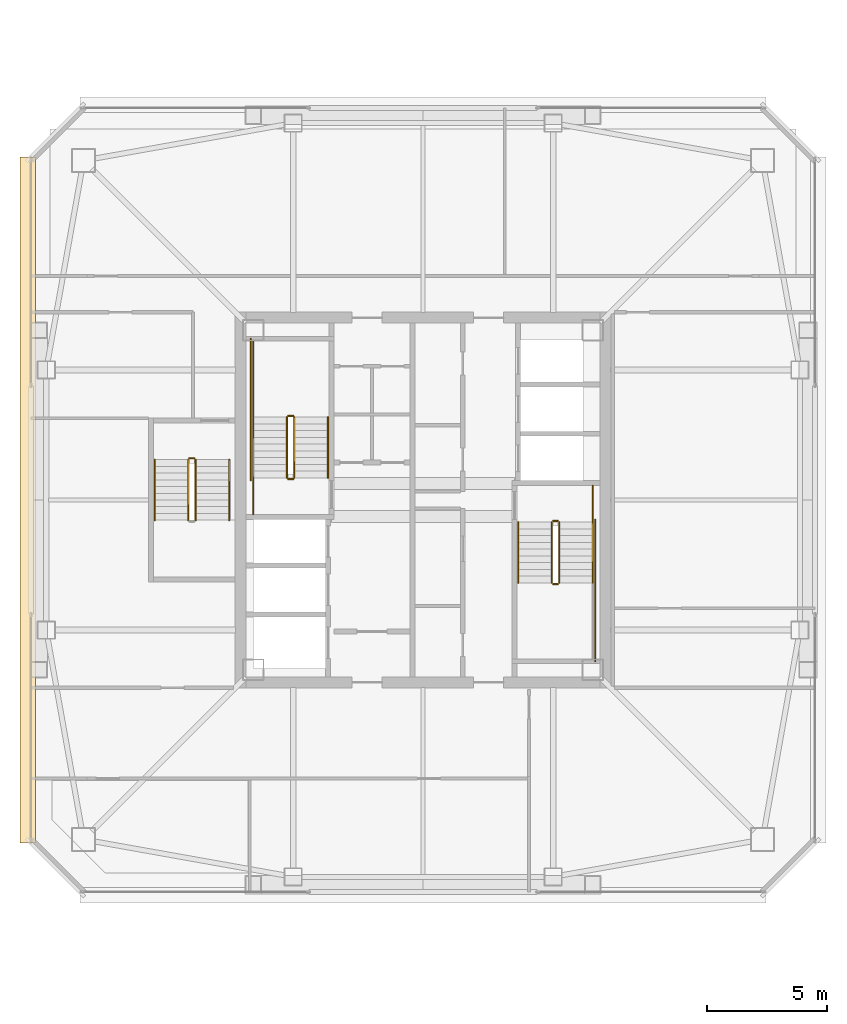
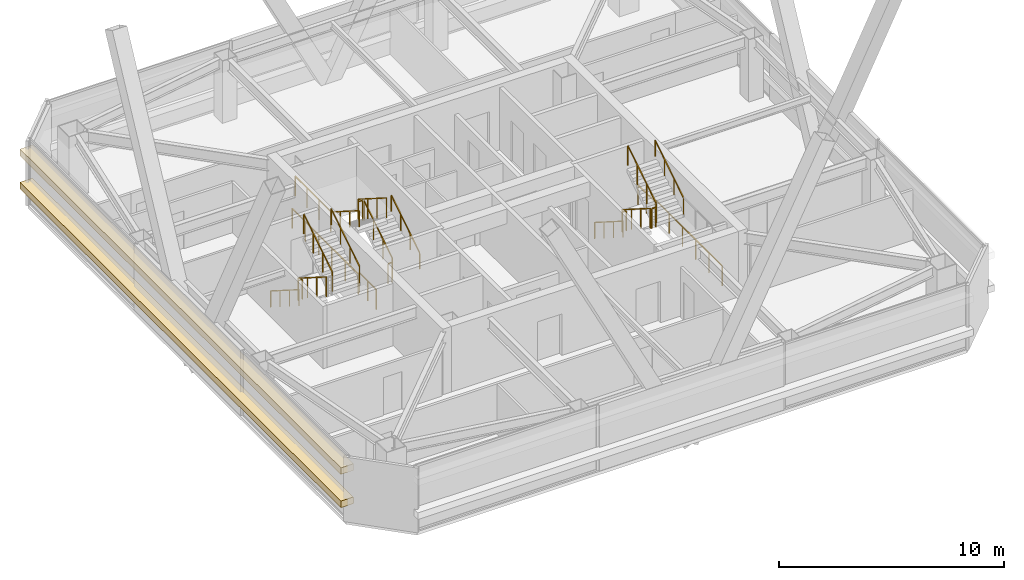
# One storey, part 43 of 47: 22 railings, 2 coverings.
"""IFC4 building model written with IfcOpenShell, lengths in metres."""

from ifc_helpers import new_model, si_unit, direction, frame, origin, origin_2d, place, context, subcontext, project, spatial, rectangle, extrude, material, layer, layer_set, type_object, element, save


model = new_model("IFC4")

# Units and contexts
model_context = context("Model", 3, precision=1e-05, world=origin(), true_north=direction((0.0, 1.0)))
body_context = subcontext(model_context, "Body", "Model", "MODEL_VIEW")
ifc_project = project(units=[si_unit("LENGTHUNIT", "METRE"), si_unit("AREAUNIT", "SQUARE_METRE"), si_unit("VOLUMEUNIT", "CUBIC_METRE"), si_unit("PLANEANGLEUNIT", "RADIAN"), si_unit("MASSUNIT", "GRAM", prefix="KILO")], contexts=[model_context])

# Site, building, storey
site_placement = place(None, origin())
site = spatial("IfcSite", under=ifc_project, at=site_placement, CompositionType="ELEMENT")
building_placement = place(site_placement, origin())
building = spatial("IfcBuilding", under=site, at=building_placement, Name="Tashvorn Skyway Center", CompositionType="ELEMENT")
storey_placement = place(building_placement, frame((0.0, 0.0, 204.199951171875)))
storey = spatial("IfcBuildingStorey", under=building, at=storey_placement, Name="L55", CompositionType="ELEMENT", Elevation=204.199951171875)

# Coverings
ifc_material_1 = material(Name="Perforated ceramic-coated bronze aluminium solar screen", Category="aluminium")
ifc_layer = layer(ifc_material_1, 0.85009765625)
ifc_layer_set = layer_set([ifc_layer], Name="Perforated ceramic-coated bronze aluminium solar screen")
covering_type = type_object("IfcCoveringType", Name="COV-SOLAR-BAND", PredefinedType="CLADDING", material=ifc_layer_set)
for number, where, z_axis, x_axis, name in (
    (1, (25.580078125, 32.0, 0.919921875), (0.0, 0.0, 1.0), (0.0, 1.0, 0.0), "L55 Perforated Ceramic-Metal Solar Screen Louvre Band West 1"),
    (2, (25.580078125, 32.0, 2.72021484375), (0.0, 0.0, 1.0), (0.0, 1.0, 0.0), "L55 Perforated Ceramic-Metal Solar Screen Louvre Band West 2"),
):
    element("IfcCovering", number, at=place(storey_placement, frame(where, z_axis=z_axis, x_axis=x_axis)), inside=storey, type_object=covering_type, Name=name, PredefinedType="CLADDING", context=body_context, shape_type="SweptSolid", body=[
        extrude(rectangle(XDim=28.47998046875, YDim=0.639892578125, at=origin_2d()), origin(), (0.0, 0.0, 1.0), 0.360107421875),
    ])

# Railings
ifc_material_2 = material(Name="Brushed stainless steel 316", Category="steel")
railing_type_1 = type_object("IfcRailingType", Name="RAIL-HAND-920", PredefinedType="HANDRAIL", material=ifc_material_2)
railing_1_placement = place(storey_placement, frame((38.050048828125, 32.919921875, 0.177490234375)))
element("IfcRailing", 3, at=railing_1_placement, inside=storey, type_object=railing_type_1, Name="L55 ST-T1-1 stair handrail 1", PredefinedType="HANDRAIL", context=body_context, shape_type="SweptSolid", body=[
    extrude(rectangle(XDim=0.048095703125, YDim=0.048095703125, at=origin_2d()), frame((0.0, 0.0, 0.8759765625), z_axis=(0.0, 0.84456994832, 0.535445237532), x_axis=(-1.0, 0.0, 0.0)), (0.0, 0.0, 1.0), 2.98388671875),
    extrude(rectangle(XDim=0.0419921875, YDim=0.0419921875, at=origin_2d()), origin(), (0.0, 0.0, 1.0), 0.851806640625),
    extrude(rectangle(XDim=0.0419921875, YDim=0.0419921875, at=origin_2d()), frame((0.0, 0.840087890625, 0.532470703125)), (0.0, 0.0, 1.0), 0.851806640625),
    extrude(rectangle(XDim=0.0419921875, YDim=0.0419921875, at=origin_2d()), frame((0.0, 1.679931640625, 1.065185546875)), (0.0, 0.0, 1.0), 0.851806640625),
    extrude(rectangle(XDim=0.0419921875, YDim=0.0419921875, at=origin_2d()), frame((0.0, 2.52001953125, 1.59765625)), (0.0, 0.0, 1.0), 0.851806640625),
])
railing_2_placement = place(storey_placement, frame((34.949951171875, 35.43994140625, 1.95263671875)))
element("IfcRailing", 4, at=railing_2_placement, inside=storey, type_object=railing_type_1, Name="L55 ST-T1-1 stair handrail 2", PredefinedType="HANDRAIL", context=body_context, shape_type="SweptSolid", body=[
    extrude(rectangle(XDim=0.048095703125, YDim=0.048095703125, at=origin_2d()), frame((0.0, 0.0, 0.8759765625), z_axis=(0.0, -0.84460694969, 0.535386869969), x_axis=(1.0, 0.0, 0.0)), (0.0, 0.0, 1.0), 2.983642578125),
    extrude(rectangle(XDim=0.0419921875, YDim=0.0419921875, at=origin_2d()), origin(), (0.0, 0.0, 1.0), 0.851806640625),
    extrude(rectangle(XDim=0.0419921875, YDim=0.0419921875, at=origin_2d()), frame((0.0, -0.840087890625, 0.532470703125)), (0.0, 0.0, 1.0), 0.851806640625),
    extrude(rectangle(XDim=0.0419921875, YDim=0.0419921875, at=origin_2d()), frame((0.0, -1.679931640625, 1.06494140625)), (0.0, 0.0, 1.0), 0.851806640625),
    extrude(rectangle(XDim=0.0419921875, YDim=0.0419921875, at=origin_2d()), frame((0.0, -2.52001953125, 1.597412109375)), (0.0, 0.0, 1.0), 0.851806640625),
])
railing_3_placement = place(storey_placement, frame((45.949951171875, 31.080078125, 0.177490234375)))
element("IfcRailing", 5, at=railing_3_placement, inside=storey, type_object=railing_type_1, Name="L55 ST-T1-2 stair handrail 1", PredefinedType="HANDRAIL", context=body_context, shape_type="SweptSolid", body=[
    extrude(rectangle(XDim=0.048095703125, YDim=0.048095703125, at=origin_2d()), frame((0.0, 0.0, 0.8759765625), z_axis=(0.0, -0.84456994832, 0.535445237532), x_axis=(1.0, 0.0, 0.0)), (0.0, 0.0, 1.0), 2.98388671875),
    extrude(rectangle(XDim=0.0419921875, YDim=0.0419921875, at=origin_2d()), origin(), (0.0, 0.0, 1.0), 0.851806640625),
    extrude(rectangle(XDim=0.0419921875, YDim=0.0419921875, at=origin_2d()), frame((0.0, -0.840087890625, 0.532470703125)), (0.0, 0.0, 1.0), 0.851806640625),
    extrude(rectangle(XDim=0.0419921875, YDim=0.0419921875, at=origin_2d()), frame((0.0, -1.679931640625, 1.065185546875)), (0.0, 0.0, 1.0), 0.851806640625),
    extrude(rectangle(XDim=0.0419921875, YDim=0.0419921875, at=origin_2d()), frame((0.0, -2.52001953125, 1.59765625)), (0.0, 0.0, 1.0), 0.851806640625),
])
railing_4_placement = place(storey_placement, frame((49.050048828125, 28.56005859375, 1.95263671875)))
element("IfcRailing", 6, at=railing_4_placement, inside=storey, type_object=railing_type_1, Name="L55 ST-T1-2 stair handrail 2", PredefinedType="HANDRAIL", context=body_context, shape_type="SweptSolid", body=[
    extrude(rectangle(XDim=0.048095703125, YDim=0.048095703125, at=origin_2d()), frame((0.0, 0.0, 0.8759765625), z_axis=(0.0, 0.84460694969, 0.535386869969), x_axis=(-1.0, 0.0, 0.0)), (0.0, 0.0, 1.0), 2.983642578125),
    extrude(rectangle(XDim=0.0419921875, YDim=0.0419921875, at=origin_2d()), origin(), (0.0, 0.0, 1.0), 0.851806640625),
    extrude(rectangle(XDim=0.0419921875, YDim=0.0419921875, at=origin_2d()), frame((0.0, 0.840087890625, 0.532470703125)), (0.0, 0.0, 1.0), 0.851806640625),
    extrude(rectangle(XDim=0.0419921875, YDim=0.0419921875, at=origin_2d()), frame((0.0, 1.679931640625, 1.06494140625)), (0.0, 0.0, 1.0), 0.851806640625),
    extrude(rectangle(XDim=0.0419921875, YDim=0.0419921875, at=origin_2d()), frame((0.0, 2.52001953125, 1.597412109375)), (0.0, 0.0, 1.0), 0.851806640625),
])
railing_5_placement = place(storey_placement, frame((30.85009765625, 33.679931640625, 0.177490234375)))
element("IfcRailing", 7, at=railing_5_placement, inside=storey, type_object=railing_type_1, Name="L55 ST-T1-3 stair handrail 1", PredefinedType="HANDRAIL", context=body_context, shape_type="SweptSolid", body=[
    extrude(rectangle(XDim=0.048095703125, YDim=0.048095703125, at=origin_2d()), frame((0.0, 0.0, 0.8759765625), z_axis=(0.0, -0.84456994832, 0.535445237532), x_axis=(1.0, 0.0, 0.0)), (0.0, 0.0, 1.0), 2.98388671875),
    extrude(rectangle(XDim=0.0419921875, YDim=0.0419921875, at=origin_2d()), origin(), (0.0, 0.0, 1.0), 0.851806640625),
    extrude(rectangle(XDim=0.0419921875, YDim=0.0419921875, at=origin_2d()), frame((0.0, -0.840087890625, 0.532470703125)), (0.0, 0.0, 1.0), 0.851806640625),
    extrude(rectangle(XDim=0.0419921875, YDim=0.0419921875, at=origin_2d()), frame((0.0, -1.679931640625, 1.065185546875)), (0.0, 0.0, 1.0), 0.851806640625),
    extrude(rectangle(XDim=0.0419921875, YDim=0.0419921875, at=origin_2d()), frame((0.0, -2.52001953125, 1.59765625)), (0.0, 0.0, 1.0), 0.851806640625),
])
railing_6_placement = place(storey_placement, frame((33.949951171875, 31.159912109375, 1.95263671875)))
element("IfcRailing", 8, at=railing_6_placement, inside=storey, type_object=railing_type_1, Name="L55 ST-T1-3 stair handrail 2", PredefinedType="HANDRAIL", context=body_context, shape_type="SweptSolid", body=[
    extrude(rectangle(XDim=0.048095703125, YDim=0.048095703125, at=origin_2d()), frame((0.0, 0.0, 0.8759765625), z_axis=(0.0, 0.84460694969, 0.535386869969), x_axis=(-1.0, 0.0, 0.0)), (0.0, 0.0, 1.0), 2.983642578125),
    extrude(rectangle(XDim=0.0419921875, YDim=0.0419921875, at=origin_2d()), origin(), (0.0, 0.0, 1.0), 0.851806640625),
    extrude(rectangle(XDim=0.0419921875, YDim=0.0419921875, at=origin_2d()), frame((0.0, 0.840087890625, 0.532470703125)), (0.0, 0.0, 1.0), 0.851806640625),
    extrude(rectangle(XDim=0.0419921875, YDim=0.0419921875, at=origin_2d()), frame((0.0, 1.679931640625, 1.06494140625)), (0.0, 0.0, 1.0), 0.851806640625),
    extrude(rectangle(XDim=0.0419921875, YDim=0.0419921875, at=origin_2d()), frame((0.0, 2.52001953125, 1.597412109375)), (0.0, 0.0, 1.0), 0.851806640625),
])
ifc_material_3 = material(Name="Painted galvanized steel S355", Category="steel")
railing_type_2 = type_object("IfcRailingType", Name="RAIL-STGUARD-1100", PredefinedType="GUARDRAIL", material=ifc_material_3)
railing_7_placement = place(storey_placement, frame((36.64990234375, 32.919921875, 0.177490234375)))
element("IfcRailing", 9, at=railing_7_placement, inside=storey, type_object=railing_type_2, Name="L55 ST-T1-1 stair guard 1", PredefinedType="GUARDRAIL", context=body_context, shape_type="SweptSolid", body=[
    extrude(rectangle(XDim=0.048095703125, YDim=0.048095703125, at=origin_2d()), frame((0.0, 0.0, 1.076171875), z_axis=(0.0, 0.84456994832, 0.535445237532), x_axis=(-1.0, 0.0, 0.0)), (0.0, 0.0, 1.0), 2.98388671875),
    extrude(rectangle(XDim=0.0419921875, YDim=0.0419921875, at=origin_2d()), origin(), (0.0, 0.0, 1.0), 1.052001953125),
    extrude(rectangle(XDim=0.0419921875, YDim=0.0419921875, at=origin_2d()), frame((0.0, 0.840087890625, 0.532470703125)), (0.0, 0.0, 1.0), 1.052001953125),
    extrude(rectangle(XDim=0.0419921875, YDim=0.0419921875, at=origin_2d()), frame((0.0, 1.679931640625, 1.065185546875)), (0.0, 0.0, 1.0), 1.052001953125),
    extrude(rectangle(XDim=0.0419921875, YDim=0.0419921875, at=origin_2d()), frame((0.0, 2.52001953125, 1.59765625)), (0.0, 0.0, 1.0), 1.052001953125),
])
railing_8_placement = place(storey_placement, frame((36.60009765625, 35.489990234375, 1.775146484375)))
element("IfcRailing", 10, at=railing_8_placement, inside=storey, type_object=railing_type_2, Name="L55 ST-T1-1 stair guard 2", PredefinedType="GUARDRAIL", context=body_context, shape_type="SweptSolid", body=[
    extrude(rectangle(XDim=0.048095703125, YDim=0.048095703125, at=origin_2d()), frame((0.0, 0.0, 1.076171875), z_axis=(-1.0, 0.0, 0.0), x_axis=(0.0, -1.0, 0.0)), (0.0, 0.0, 1.0), 0.2001953125),
    extrude(rectangle(XDim=0.0419921875, YDim=0.0419921875, at=origin_2d()), origin(), (0.0, 0.0, 1.0), 1.052001953125),
    extrude(rectangle(XDim=0.0419921875, YDim=0.0419921875, at=origin_2d()), frame((-0.2001953125, 0.0, 0.0)), (0.0, 0.0, 1.0), 1.052001953125),
])
railing_9_placement = place(storey_placement, frame((34.949951171875, 35.43994140625, 1.775146484375)))
element("IfcRailing", 11, at=railing_9_placement, inside=storey, type_object=railing_type_2, Name="L55 ST-T1-1 stair guard 3", PredefinedType="GUARDRAIL", context=body_context, shape_type="SweptSolid", body=[
    extrude(rectangle(XDim=0.048095703125, YDim=0.048095703125, at=origin_2d()), frame((0.0, 0.0, 1.076171875), z_axis=(0.0, 1.0, 0.0), x_axis=(-1.0, 0.0, 0.0)), (0.0, 0.0, 1.0), 3.16015625),
    extrude(rectangle(XDim=0.0419921875, YDim=0.0419921875, at=origin_2d()), origin(), (0.0, 0.0, 1.0), 1.052001953125),
    extrude(rectangle(XDim=0.0419921875, YDim=0.0419921875, at=origin_2d()), frame((0.0, 1.053466796875, 0.0)), (0.0, 0.0, 1.0), 1.052001953125),
    extrude(rectangle(XDim=0.0419921875, YDim=0.0419921875, at=origin_2d()), frame((0.0, 2.106689453125, 0.0)), (0.0, 0.0, 1.0), 1.052001953125),
    extrude(rectangle(XDim=0.0419921875, YDim=0.0419921875, at=origin_2d()), frame((0.0, 3.16015625, 0.0)), (0.0, 0.0, 1.0), 1.052001953125),
])
railing_10_placement = place(storey_placement, frame((36.35009765625, 35.43994140625, 1.95263671875)))
element("IfcRailing", 12, at=railing_10_placement, inside=storey, type_object=railing_type_2, Name="L55 ST-T1-1 stair guard 4", PredefinedType="GUARDRAIL", context=body_context, shape_type="SweptSolid", body=[
    extrude(rectangle(XDim=0.048095703125, YDim=0.048095703125, at=origin_2d()), frame((0.0, 0.0, 1.076171875), z_axis=(0.0, -0.84460694969, 0.535386869969), x_axis=(1.0, 0.0, 0.0)), (0.0, 0.0, 1.0), 2.983642578125),
    extrude(rectangle(XDim=0.0419921875, YDim=0.0419921875, at=origin_2d()), origin(), (0.0, 0.0, 1.0), 1.052001953125),
    extrude(rectangle(XDim=0.0419921875, YDim=0.0419921875, at=origin_2d()), frame((0.0, -0.840087890625, 0.532470703125)), (0.0, 0.0, 1.0), 1.052001953125),
    extrude(rectangle(XDim=0.0419921875, YDim=0.0419921875, at=origin_2d()), frame((0.0, -1.679931640625, 1.06494140625)), (0.0, 0.0, 1.0), 1.052001953125),
    extrude(rectangle(XDim=0.0419921875, YDim=0.0419921875, at=origin_2d()), frame((0.0, -2.52001953125, 1.597412109375)), (0.0, 0.0, 1.0), 1.052001953125),
])
railing_11_placement = place(storey_placement, frame((36.60009765625, 32.8701171875, 0.0)))
element("IfcRailing", 13, at=railing_11_placement, inside=storey, type_object=railing_type_2, Name="L55 ST-T1-1 stair guard 5", PredefinedType="GUARDRAIL", context=body_context, shape_type="SweptSolid", body=[
    extrude(rectangle(XDim=0.048095703125, YDim=0.048095703125, at=origin_2d()), frame((0.0, 0.0, 1.076171875), z_axis=(-1.0, 0.0, 0.0), x_axis=(0.0, -1.0, 0.0)), (0.0, 0.0, 1.0), 0.2001953125),
    extrude(rectangle(XDim=0.0419921875, YDim=0.0419921875, at=origin_2d()), origin(), (0.0, 0.0, 1.0), 1.052001953125),
    extrude(rectangle(XDim=0.0419921875, YDim=0.0419921875, at=origin_2d()), frame((-0.2001953125, 0.0, 0.0)), (0.0, 0.0, 1.0), 1.052001953125),
])
railing_12_placement = place(storey_placement, frame((34.949951171875, 31.39990234375, 0.0)))
element("IfcRailing", 14, at=railing_12_placement, inside=storey, type_object=railing_type_2, Name="L55 ST-T1-1 stair guard 6", PredefinedType="GUARDRAIL", context=body_context, shape_type="SweptSolid", body=[
    extrude(rectangle(XDim=0.048095703125, YDim=0.048095703125, at=origin_2d()), frame((0.0, 0.0, 1.076171875), z_axis=(0.0, 1.0, 0.0), x_axis=(-1.0, 0.0, 0.0)), (0.0, 0.0, 1.0), 1.52001953125),
    extrude(rectangle(XDim=0.0419921875, YDim=0.0419921875, at=origin_2d()), origin(), (0.0, 0.0, 1.0), 1.052001953125),
    extrude(rectangle(XDim=0.0419921875, YDim=0.0419921875, at=origin_2d()), frame((0.0, 0.760009765625, 0.0)), (0.0, 0.0, 1.0), 1.052001953125),
    extrude(rectangle(XDim=0.0419921875, YDim=0.0419921875, at=origin_2d()), frame((0.0, 1.52001953125, 0.0)), (0.0, 0.0, 1.0), 1.052001953125),
])
railing_13_placement = place(storey_placement, frame((34.85009765625, 32.820068359375, 0.0)))
element("IfcRailing", 15, at=railing_13_placement, inside=storey, type_object=railing_type_2, Name="L55 ST-T1-1 stair guard 7", PredefinedType="GUARDRAIL", context=body_context, shape_type="SweptSolid", body=[
    extrude(rectangle(XDim=0.048095703125, YDim=0.048095703125, at=origin_2d()), frame((0.0, 0.0, 1.076171875), z_axis=(0.0, 1.0, 0.0), x_axis=(-1.0, 0.0, 0.0)), (0.0, 0.0, 1.0), 5.8798828125),
    extrude(rectangle(XDim=0.0419921875, YDim=0.0419921875, at=origin_2d()), origin(), (0.0, 0.0, 1.0), 1.052001953125),
    extrude(rectangle(XDim=0.0419921875, YDim=0.0419921875, at=origin_2d()), frame((0.0, 1.176025390625, 0.0)), (0.0, 0.0, 1.0), 1.052001953125),
    extrude(rectangle(XDim=0.0419921875, YDim=0.0419921875, at=origin_2d()), frame((0.0, 2.35205078125, 0.0)), (0.0, 0.0, 1.0), 1.052001953125),
    extrude(rectangle(XDim=0.0419921875, YDim=0.0419921875, at=origin_2d()), frame((0.0, 3.52783203125, 0.0)), (0.0, 0.0, 1.0), 1.052001953125),
    extrude(rectangle(XDim=0.0419921875, YDim=0.0419921875, at=origin_2d()), frame((0.0, 4.703857421875, 0.0)), (0.0, 0.0, 1.0), 1.052001953125),
    extrude(rectangle(XDim=0.0419921875, YDim=0.0419921875, at=origin_2d()), frame((0.0, 5.8798828125, 0.0)), (0.0, 0.0, 1.0), 1.052001953125),
])
railing_14_placement = place(storey_placement, frame((47.35009765625, 31.080078125, 0.177490234375)))
element("IfcRailing", 16, at=railing_14_placement, inside=storey, type_object=railing_type_2, Name="L55 ST-T1-2 stair guard 1", PredefinedType="GUARDRAIL", context=body_context, shape_type="SweptSolid", body=[
    extrude(rectangle(XDim=0.048095703125, YDim=0.048095703125, at=origin_2d()), frame((0.0, 0.0, 1.076171875), z_axis=(0.0, -0.84456994832, 0.535445237532), x_axis=(1.0, 0.0, 0.0)), (0.0, 0.0, 1.0), 2.98388671875),
    extrude(rectangle(XDim=0.0419921875, YDim=0.0419921875, at=origin_2d()), origin(), (0.0, 0.0, 1.0), 1.052001953125),
    extrude(rectangle(XDim=0.0419921875, YDim=0.0419921875, at=origin_2d()), frame((0.0, -0.840087890625, 0.532470703125)), (0.0, 0.0, 1.0), 1.052001953125),
    extrude(rectangle(XDim=0.0419921875, YDim=0.0419921875, at=origin_2d()), frame((0.0, -1.679931640625, 1.065185546875)), (0.0, 0.0, 1.0), 1.052001953125),
    extrude(rectangle(XDim=0.0419921875, YDim=0.0419921875, at=origin_2d()), frame((0.0, -2.52001953125, 1.59765625)), (0.0, 0.0, 1.0), 1.052001953125),
])
railing_15_placement = place(storey_placement, frame((47.39990234375, 28.510009765625, 1.775146484375)))
element("IfcRailing", 17, at=railing_15_placement, inside=storey, type_object=railing_type_2, Name="L55 ST-T1-2 stair guard 2", PredefinedType="GUARDRAIL", context=body_context, shape_type="SweptSolid", body=[
    extrude(rectangle(XDim=0.048095703125, YDim=0.048095703125, at=origin_2d()), frame((0.0, 0.0, 1.076171875), z_axis=(1.0, 0.0, 0.0), x_axis=(0.0, 1.0, 0.0)), (0.0, 0.0, 1.0), 0.2001953125),
    extrude(rectangle(XDim=0.0419921875, YDim=0.0419921875, at=origin_2d()), origin(), (0.0, 0.0, 1.0), 1.052001953125),
    extrude(rectangle(XDim=0.0419921875, YDim=0.0419921875, at=origin_2d()), frame((0.2001953125, 0.0, 0.0)), (0.0, 0.0, 1.0), 1.052001953125),
])
railing_16_placement = place(storey_placement, frame((47.64990234375, 28.56005859375, 1.95263671875)))
element("IfcRailing", 18, at=railing_16_placement, inside=storey, type_object=railing_type_2, Name="L55 ST-T1-2 stair guard 4", PredefinedType="GUARDRAIL", context=body_context, shape_type="SweptSolid", body=[
    extrude(rectangle(XDim=0.048095703125, YDim=0.048095703125, at=origin_2d()), frame((0.0, 0.0, 1.076171875), z_axis=(0.0, 0.84460694969, 0.535386869969), x_axis=(-1.0, 0.0, 0.0)), (0.0, 0.0, 1.0), 2.983642578125),
    extrude(rectangle(XDim=0.0419921875, YDim=0.0419921875, at=origin_2d()), origin(), (0.0, 0.0, 1.0), 1.052001953125),
    extrude(rectangle(XDim=0.0419921875, YDim=0.0419921875, at=origin_2d()), frame((0.0, 0.840087890625, 0.532470703125)), (0.0, 0.0, 1.0), 1.052001953125),
    extrude(rectangle(XDim=0.0419921875, YDim=0.0419921875, at=origin_2d()), frame((0.0, 1.679931640625, 1.06494140625)), (0.0, 0.0, 1.0), 1.052001953125),
    extrude(rectangle(XDim=0.0419921875, YDim=0.0419921875, at=origin_2d()), frame((0.0, 2.52001953125, 1.597412109375)), (0.0, 0.0, 1.0), 1.052001953125),
])
railing_17_placement = place(storey_placement, frame((47.39990234375, 31.1298828125, 0.0)))
element("IfcRailing", 19, at=railing_17_placement, inside=storey, type_object=railing_type_2, Name="L55 ST-T1-2 stair guard 5", PredefinedType="GUARDRAIL", context=body_context, shape_type="SweptSolid", body=[
    extrude(rectangle(XDim=0.048095703125, YDim=0.048095703125, at=origin_2d()), frame((0.0, 0.0, 1.076171875), z_axis=(1.0, 0.0, 0.0), x_axis=(0.0, 1.0, 0.0)), (0.0, 0.0, 1.0), 0.2001953125),
    extrude(rectangle(XDim=0.0419921875, YDim=0.0419921875, at=origin_2d()), origin(), (0.0, 0.0, 1.0), 1.052001953125),
    extrude(rectangle(XDim=0.0419921875, YDim=0.0419921875, at=origin_2d()), frame((0.2001953125, 0.0, 0.0)), (0.0, 0.0, 1.0), 1.052001953125),
])
railing_18_placement = place(storey_placement, frame((49.050048828125, 32.60009765625, 0.0)))
element("IfcRailing", 20, at=railing_18_placement, inside=storey, type_object=railing_type_2, Name="L55 ST-T1-2 stair guard 6", PredefinedType="GUARDRAIL", context=body_context, shape_type="SweptSolid", body=[
    extrude(rectangle(XDim=0.048095703125, YDim=0.048095703125, at=origin_2d()), frame((0.0, 0.0, 1.076171875), z_axis=(0.0, -1.0, 0.0), x_axis=(1.0, 0.0, 0.0)), (0.0, 0.0, 1.0), 1.52001953125),
    extrude(rectangle(XDim=0.0419921875, YDim=0.0419921875, at=origin_2d()), origin(), (0.0, 0.0, 1.0), 1.052001953125),
    extrude(rectangle(XDim=0.0419921875, YDim=0.0419921875, at=origin_2d()), frame((0.0, -0.760009765625, 0.0)), (0.0, 0.0, 1.0), 1.052001953125),
    extrude(rectangle(XDim=0.0419921875, YDim=0.0419921875, at=origin_2d()), frame((0.0, -1.52001953125, 0.0)), (0.0, 0.0, 1.0), 1.052001953125),
])
railing_19_placement = place(storey_placement, frame((49.14990234375, 31.179931640625, 0.0)))
element("IfcRailing", 21, at=railing_19_placement, inside=storey, type_object=railing_type_2, Name="L55 ST-T1-2 stair guard 7", PredefinedType="GUARDRAIL", context=body_context, shape_type="SweptSolid", body=[
    extrude(rectangle(XDim=0.048095703125, YDim=0.048095703125, at=origin_2d()), frame((0.0, 0.0, 1.076171875), z_axis=(0.0, -1.0, 0.0), x_axis=(1.0, 0.0, 0.0)), (0.0, 0.0, 1.0), 5.8798828125),
    extrude(rectangle(XDim=0.0419921875, YDim=0.0419921875, at=origin_2d()), origin(), (0.0, 0.0, 1.0), 1.052001953125),
    extrude(rectangle(XDim=0.0419921875, YDim=0.0419921875, at=origin_2d()), frame((0.0, -1.176025390625, 0.0)), (0.0, 0.0, 1.0), 1.052001953125),
    extrude(rectangle(XDim=0.0419921875, YDim=0.0419921875, at=origin_2d()), frame((0.0, -2.35205078125, 0.0)), (0.0, 0.0, 1.0), 1.052001953125),
    extrude(rectangle(XDim=0.0419921875, YDim=0.0419921875, at=origin_2d()), frame((0.0, -3.52783203125, 0.0)), (0.0, 0.0, 1.0), 1.052001953125),
    extrude(rectangle(XDim=0.0419921875, YDim=0.0419921875, at=origin_2d()), frame((0.0, -4.703857421875, 0.0)), (0.0, 0.0, 1.0), 1.052001953125),
    extrude(rectangle(XDim=0.0419921875, YDim=0.0419921875, at=origin_2d()), frame((0.0, -5.8798828125, 0.0)), (0.0, 0.0, 1.0), 1.052001953125),
])
railing_20_placement = place(storey_placement, frame((32.25, 33.679931640625, 0.177490234375)))
element("IfcRailing", 22, at=railing_20_placement, inside=storey, type_object=railing_type_2, Name="L55 ST-T1-3 stair guard 1", PredefinedType="GUARDRAIL", context=body_context, shape_type="SweptSolid", body=[
    extrude(rectangle(XDim=0.048095703125, YDim=0.048095703125, at=origin_2d()), frame((0.0, 0.0, 1.076171875), z_axis=(0.0, -0.84456994832, 0.535445237532), x_axis=(1.0, 0.0, 0.0)), (0.0, 0.0, 1.0), 2.98388671875),
    extrude(rectangle(XDim=0.0419921875, YDim=0.0419921875, at=origin_2d()), origin(), (0.0, 0.0, 1.0), 1.052001953125),
    extrude(rectangle(XDim=0.0419921875, YDim=0.0419921875, at=origin_2d()), frame((0.0, -0.840087890625, 0.532470703125)), (0.0, 0.0, 1.0), 1.052001953125),
    extrude(rectangle(XDim=0.0419921875, YDim=0.0419921875, at=origin_2d()), frame((0.0, -1.679931640625, 1.065185546875)), (0.0, 0.0, 1.0), 1.052001953125),
    extrude(rectangle(XDim=0.0419921875, YDim=0.0419921875, at=origin_2d()), frame((0.0, -2.52001953125, 1.59765625)), (0.0, 0.0, 1.0), 1.052001953125),
])
railing_21_placement = place(storey_placement, frame((32.550048828125, 31.159912109375, 1.95263671875)))
element("IfcRailing", 23, at=railing_21_placement, inside=storey, type_object=railing_type_2, Name="L55 ST-T1-3 stair guard 3", PredefinedType="GUARDRAIL", context=body_context, shape_type="SweptSolid", body=[
    extrude(rectangle(XDim=0.048095703125, YDim=0.048095703125, at=origin_2d()), frame((0.0, 0.0, 1.076171875), z_axis=(0.0, 0.84460694969, 0.535386869969), x_axis=(-1.0, 0.0, 0.0)), (0.0, 0.0, 1.0), 2.983642578125),
    extrude(rectangle(XDim=0.0419921875, YDim=0.0419921875, at=origin_2d()), origin(), (0.0, 0.0, 1.0), 1.052001953125),
    extrude(rectangle(XDim=0.0419921875, YDim=0.0419921875, at=origin_2d()), frame((0.0, 0.840087890625, 0.532470703125)), (0.0, 0.0, 1.0), 1.052001953125),
    extrude(rectangle(XDim=0.0419921875, YDim=0.0419921875, at=origin_2d()), frame((0.0, 1.679931640625, 1.06494140625)), (0.0, 0.0, 1.0), 1.052001953125),
    extrude(rectangle(XDim=0.0419921875, YDim=0.0419921875, at=origin_2d()), frame((0.0, 2.52001953125, 1.597412109375)), (0.0, 0.0, 1.0), 1.052001953125),
])
railing_22_placement = place(storey_placement, frame((32.300048828125, 33.72998046875, 0.0)))
element("IfcRailing", 24, at=railing_22_placement, inside=storey, type_object=railing_type_2, Name="L55 ST-T1-3 stair guard 4", PredefinedType="GUARDRAIL", context=body_context, shape_type="SweptSolid", body=[
    extrude(rectangle(XDim=0.048095703125, YDim=0.048095703125, at=origin_2d()), frame((0.0, 0.0, 1.076171875), z_axis=(1.0, 0.0, 0.0), x_axis=(0.0, 1.0, 0.0)), (0.0, 0.0, 1.0), 0.199951171875),
    extrude(rectangle(XDim=0.0419921875, YDim=0.0419921875, at=origin_2d()), origin(), (0.0, 0.0, 1.0), 1.052001953125),
    extrude(rectangle(XDim=0.0419921875, YDim=0.0419921875, at=origin_2d()), frame((0.199951171875, 0.0, 0.0)), (0.0, 0.0, 1.0), 1.052001953125),
])

save(model, "model.ifc")
